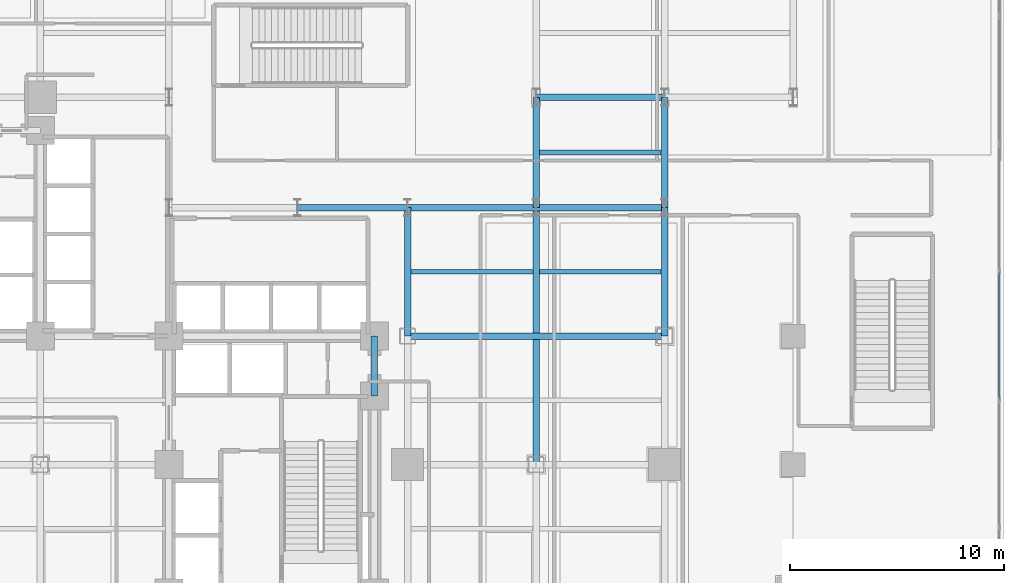
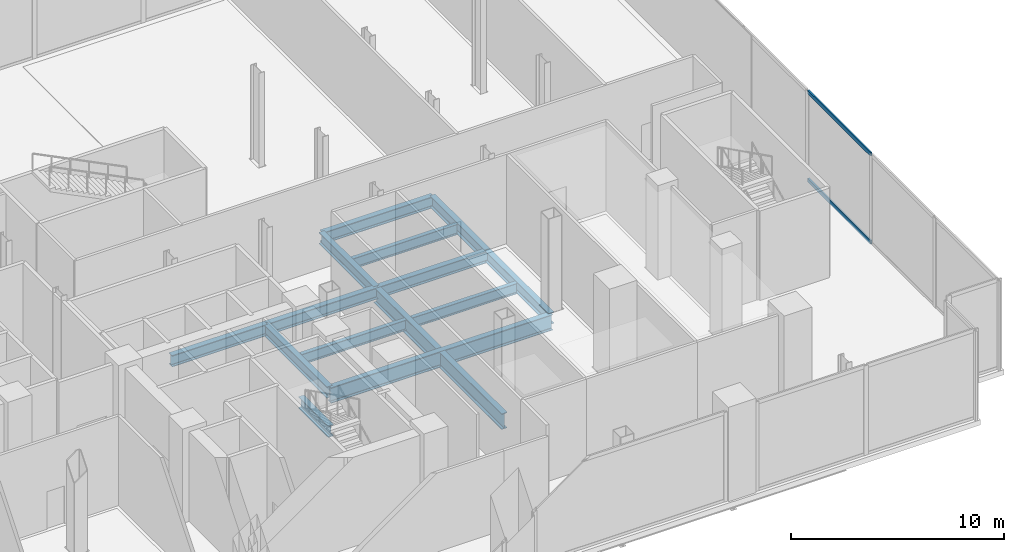
# One storey, part 11 of 27: 14 beams, 2 members, 1 element without a shape of its own.
"""IFC4 building model written with IfcOpenShell, lengths in metres."""

from ifc_helpers import new_model, si_unit, direction, frame, origin, origin_2d, place, context, subcontext, project, spatial, hollow_rectangle, i_section, extrude, material, layer, layer_set, material_profile, profile_set, type_object, element, aggregate, save


model = new_model("IFC4")

# Units and contexts
model_context = context("Model", 3, precision=1e-05, world=origin(), true_north=direction((0.0, 1.0)))
body_context = subcontext(model_context, "Body", "Model", "MODEL_VIEW")
ifc_project = project(units=[si_unit("LENGTHUNIT", "METRE"), si_unit("AREAUNIT", "SQUARE_METRE"), si_unit("VOLUMEUNIT", "CUBIC_METRE"), si_unit("PLANEANGLEUNIT", "RADIAN"), si_unit("MASSUNIT", "GRAM", prefix="KILO"), si_unit("THERMODYNAMICTEMPERATUREUNIT", "KELVIN"), si_unit("POWERUNIT", "WATT")], contexts=[model_context])

# Site, building, storey
site_placement = place(None, origin())
site = spatial("IfcSite", under=ifc_project, at=site_placement, CompositionType="ELEMENT")
building_placement = place(site_placement, origin())
building = spatial("IfcBuilding", under=site, at=building_placement, Name="Svarakhadi Broadcast Tower", CompositionType="ELEMENT")
storey_placement = place(building_placement, frame((0.0, 0.0, 16.5)))
storey = spatial("IfcBuildingStorey", under=building, at=storey_placement, Name="L03", CompositionType="ELEMENT", Elevation=16.5)

# Beams
ifc_material_1 = material(Name="Steel S355J2 (IS 2062 E350C)", Category="steel")
ifc_material_profile_1 = material_profile(ifc_material_1, i_section(OverallWidth=0.219970703125, OverallDepth=0.60009765625, WebThickness=0.011962890625, FlangeThickness=0.01904296875, FilletRadius=0.02392578125, at=origin_2d()), Name="NPB 600x220x122")
ifc_profile_set_1 = profile_set([ifc_material_profile_1], Name="Steel S355J2 (IS 2062 E350C)")
beam_type_1 = type_object("IfcBeamType", Name="Beam_NPB600", PredefinedType="BEAM", material=ifc_profile_set_1)
for number, where, z_axis, x_axis, name in (
    (1, (35.31005859375, 21.0, -0.60009765625), (1.0, 0.0, 0.0), (0.0, 1.0, 0.0), "L03 Secondary Composite Beam SB020"),
    (2, (41.31005859375, 21.0, -0.60009765625), (1.0, 0.0, 0.0), (0.0, 1.0, 0.0), "L03 Secondary Composite Beam SB024"),
    (3, (41.31005859375, 26.574951171875, -0.60009765625), (1.0, 0.0, 0.0), (0.0, 1.0, 0.0), "L03 Secondary Composite Beam SB025"),
):
    element("IfcBeam", number, at=place(storey_placement, frame(where, z_axis=z_axis, x_axis=x_axis)), inside=storey, type_object=beam_type_1, Name=name, PredefinedType="BEAM", context=body_context, shape_type="SweptSolid", body=[
        extrude(i_section(OverallWidth=0.219970703125, OverallDepth=0.60009765625, WebThickness=0.011962890625, FlangeThickness=0.01904296875, FilletRadius=0.02392578125, at=origin_2d()), origin(), (0.0, 0.0, 1.0), 5.679931640625),
    ])

# Curtain wall, members
ifc_material_2 = material(Name="Anodised Bronze Aluminium AA 6063-T6", Category="aluminium")
ifc_layer = layer(ifc_material_2, 0.25)
ifc_layer_set = layer_set([ifc_layer], Name="Anodised Bronze Aluminium AA 6063-T6")
curtain_wall_type = type_object("IfcCurtainWallType", Name="CW_Sys_01", PredefinedType="NOTDEFINED", material=ifc_layer_set)
curtain_wall_placement = place(storey_placement, origin())
curtain_wall = element("IfcCurtainWall", 4, at=curtain_wall_placement, inside=storey, type_object=curtain_wall_type, Name="L03 Unitised Facade Curtain Wall 08", PredefinedType="NOTDEFINED")
ifc_material_profile_2 = material_profile(ifc_material_2, hollow_rectangle(XDim=0.0849609375, YDim=0.219970703125, WallThickness=0.0048828125, at=origin_2d()), Name="ALU TRANSOM 220x85x5")
ifc_profile_set_2 = profile_set([ifc_material_profile_2], Name="Anodised Bronze Aluminium AA 6063-T6")
member_type = type_object("IfcMemberType", Name="CW_Sys_01_Trn", PredefinedType="USERDEFINED", material=ifc_profile_set_2)
member_1_placement = place(storey_placement, frame((62.780029296875, 20.96533203125, 0.04248046875), z_axis=(0.0, -1.0, 0.0), x_axis=(1.0, 0.0, 0.0)))
member_1 = element("IfcMember", 5, at=member_1_placement, type_object=member_type, Name="CW-01 transom 5.1", ObjectType="TRANSOM", PredefinedType="USERDEFINED", context=body_context, shape_type="SweptSolid", body=[
    extrude(hollow_rectangle(XDim=0.0849609375, YDim=0.219970703125, WallThickness=0.0048828125, at=origin_2d()), origin(), (0.0, 0.0, 1.0), 5.879150390625),
])
member_2_placement = place(storey_placement, frame((62.780029296875, 20.96533203125, 5.08251953125), z_axis=(0.0, -1.0, 0.0), x_axis=(1.0, 0.0, 0.0)))
member_2 = element("IfcMember", 6, at=member_2_placement, type_object=member_type, Name="CW-01 transom 5.2", ObjectType="TRANSOM", PredefinedType="USERDEFINED", context=body_context, shape_type="SweptSolid", body=[
    extrude(hollow_rectangle(XDim=0.0849609375, YDim=0.219970703125, WallThickness=0.0048828125, at=origin_2d()), origin(), (0.0, 0.0, 1.0), 5.879150390625),
])
aggregate(curtain_wall, [member_1, member_2])

# Beams
ifc_material_profile_3 = material_profile(ifc_material_1, i_section(OverallWidth=0.300048828125, OverallDepth=0.64990234375, WebThickness=0.01611328125, FlangeThickness=0.031005859375, FilletRadius=0.027099609375, at=origin_2d()), Name="WPB 650x300x225")
ifc_profile_set_3 = profile_set([ifc_material_profile_3], Name="Steel S355J2 (IS 2062 E350C)")
beam_type_2 = type_object("IfcBeamType", Name="Girder_WPB650", PredefinedType="USERDEFINED", material=ifc_profile_set_3)
beam_1_placement = place(storey_placement, frame((30.0, 24.0, -0.625), z_axis=(1.0, 0.0, 0.0), x_axis=(0.0, 1.0, 0.0)))
element("IfcBeam", 7, at=beam_1_placement, inside=storey, type_object=beam_type_2, Name="L03 Primary E-W Girder G027", ObjectType="GIRDER", PredefinedType="USERDEFINED", context=body_context, shape_type="SweptSolid", body=[
    extrude(i_section(OverallWidth=0.300048828125, OverallDepth=0.64990234375, WebThickness=0.01611328125, FlangeThickness=0.031005859375, FilletRadius=0.027099609375, at=origin_2d()), origin(), (0.0, 0.0, 1.0), 5.14990234375),
])
for number, where, z_axis, x_axis, name in (
    (8, (35.14990234375, 24.0, -0.625), (1.0, 0.0, 0.0), (0.0, 1.0, 0.0), "L03 Primary E-W Girder G028"),
    (9, (41.14990234375, 24.0, -0.625), (1.0, 0.0, 0.0), (0.0, 1.0, 0.0), "L03 Primary E-W Girder G029"),
    (10, (41.14990234375, 29.14990234375, -0.625), (1.0, 0.0, 0.0), (0.0, 1.0, 0.0), "L03 Primary E-W Girder G035"),
):
    element("IfcBeam", number, at=place(storey_placement, frame(where, z_axis=z_axis, x_axis=x_axis)), inside=storey, type_object=beam_type_2, Name=name, ObjectType="GIRDER", PredefinedType="USERDEFINED", context=body_context, shape_type="SweptSolid", body=[
        extrude(i_section(OverallWidth=0.300048828125, OverallDepth=0.64990234375, WebThickness=0.01611328125, FlangeThickness=0.031005859375, FilletRadius=0.027099609375, at=origin_2d()), origin(), (0.0, 0.0, 1.0), 6.0),
    ])
beam_2_placement = place(storey_placement, frame((33.60009765625, 15.199951171875, -0.625), z_axis=(0.0, 1.0, 0.0), x_axis=(-1.0, 0.0, 0.0)))
element("IfcBeam", 11, at=beam_2_placement, inside=storey, type_object=beam_type_2, Name="L03 Primary N-S Girder G071", ObjectType="GIRDER", PredefinedType="USERDEFINED", context=body_context, shape_type="SweptSolid", body=[
    extrude(i_section(OverallWidth=0.300048828125, OverallDepth=0.64990234375, WebThickness=0.01611328125, FlangeThickness=0.031005859375, FilletRadius=0.027099609375, at=origin_2d()), origin(), (0.0, 0.0, 1.0), 2.800048828125),
])
beam_3_placement = place(storey_placement, frame((35.14990234375, 18.0, -0.625), z_axis=(0.0, 1.0, 0.0), x_axis=(-1.0, 0.0, 0.0)))
element("IfcBeam", 12, at=beam_3_placement, inside=storey, type_object=beam_type_2, Name="L03 Primary N-S Girder G074", ObjectType="GIRDER", PredefinedType="USERDEFINED", context=body_context, shape_type="SweptSolid", body=[
    extrude(i_section(OverallWidth=0.300048828125, OverallDepth=0.64990234375, WebThickness=0.01611328125, FlangeThickness=0.031005859375, FilletRadius=0.027099609375, at=origin_2d()), origin(), (0.0, 0.0, 1.0), 6.0),
])
beam_4_placement = place(storey_placement, frame((41.14990234375, 24.0, -0.625), z_axis=(0.0, 1.0, 0.0), x_axis=(-1.0, 0.0, 0.0)))
element("IfcBeam", 13, at=beam_4_placement, inside=storey, type_object=beam_type_2, Name="L03 Primary N-S Girder G077", ObjectType="GIRDER", PredefinedType="USERDEFINED", context=body_context, shape_type="SweptSolid", body=[
    extrude(i_section(OverallWidth=0.300048828125, OverallDepth=0.64990234375, WebThickness=0.01611328125, FlangeThickness=0.031005859375, FilletRadius=0.027099609375, at=origin_2d()), origin(), (0.0, 0.0, 1.0), 5.14990234375),
])
beam_5_placement = place(storey_placement, frame((47.14990234375, 18.0, -0.625), z_axis=(0.0, 1.0, 0.0), x_axis=(-1.0, 0.0, 0.0)))
element("IfcBeam", 14, at=beam_5_placement, inside=storey, type_object=beam_type_2, Name="L03 Primary N-S Girder G081", ObjectType="GIRDER", PredefinedType="USERDEFINED", context=body_context, shape_type="SweptSolid", body=[
    extrude(i_section(OverallWidth=0.300048828125, OverallDepth=0.64990234375, WebThickness=0.01611328125, FlangeThickness=0.031005859375, FilletRadius=0.027099609375, at=origin_2d()), origin(), (0.0, 0.0, 1.0), 6.0),
])
beam_6_placement = place(storey_placement, frame((47.14990234375, 24.0, -0.625), z_axis=(0.0, 1.0, 0.0), x_axis=(-1.0, 0.0, 0.0)))
element("IfcBeam", 15, at=beam_6_placement, inside=storey, type_object=beam_type_2, Name="L03 Primary N-S Girder G082", ObjectType="GIRDER", PredefinedType="USERDEFINED", context=body_context, shape_type="SweptSolid", body=[
    extrude(i_section(OverallWidth=0.300048828125, OverallDepth=0.64990234375, WebThickness=0.01611328125, FlangeThickness=0.031005859375, FilletRadius=0.027099609375, at=origin_2d()), origin(), (0.0, 0.0, 1.0), 5.14990234375),
])
ifc_material_3 = material(Name="Steel S460ML (IS 2062 E450BR)", Category="steel")
ifc_material_profile_4 = material_profile(ifc_material_3, i_section(OverallWidth=0.300048828125, OverallDepth=0.89990234375, WebThickness=0.0185546875, FlangeThickness=0.034912109375, FilletRadius=0.030029296875, at=origin_2d()), Name="WPB 900x300x291")
ifc_profile_set_4 = profile_set([ifc_material_profile_4], Name="Steel S460ML (IS 2062 E450BR)")
beam_type_3 = type_object("IfcBeamType", Name="Girder_WPB900", PredefinedType="USERDEFINED", material=ifc_profile_set_4)
for number, where, z_axis, x_axis, name in (
    (16, (35.14990234375, 18.0, -0.75), (1.0, 0.0, 0.0), (0.0, 1.0, 0.0), "L03 Primary E-W Girder G025"),
    (17, (41.14990234375, 12.0, -0.75), (0.0, 1.0, 0.0), (-1.0, 0.0, 0.0), "L03 Primary N-S Girder G076"),
):
    element("IfcBeam", number, at=place(storey_placement, frame(where, z_axis=z_axis, x_axis=x_axis)), inside=storey, type_object=beam_type_3, Name=name, ObjectType="GIRDER", PredefinedType="USERDEFINED", context=body_context, shape_type="SweptSolid", body=[
        extrude(i_section(OverallWidth=0.300048828125, OverallDepth=0.89990234375, WebThickness=0.0185546875, FlangeThickness=0.034912109375, FilletRadius=0.030029296875, at=origin_2d()), origin(), (0.0, 0.0, 1.0), 12.0),
    ])

save(model, "model.ifc")
